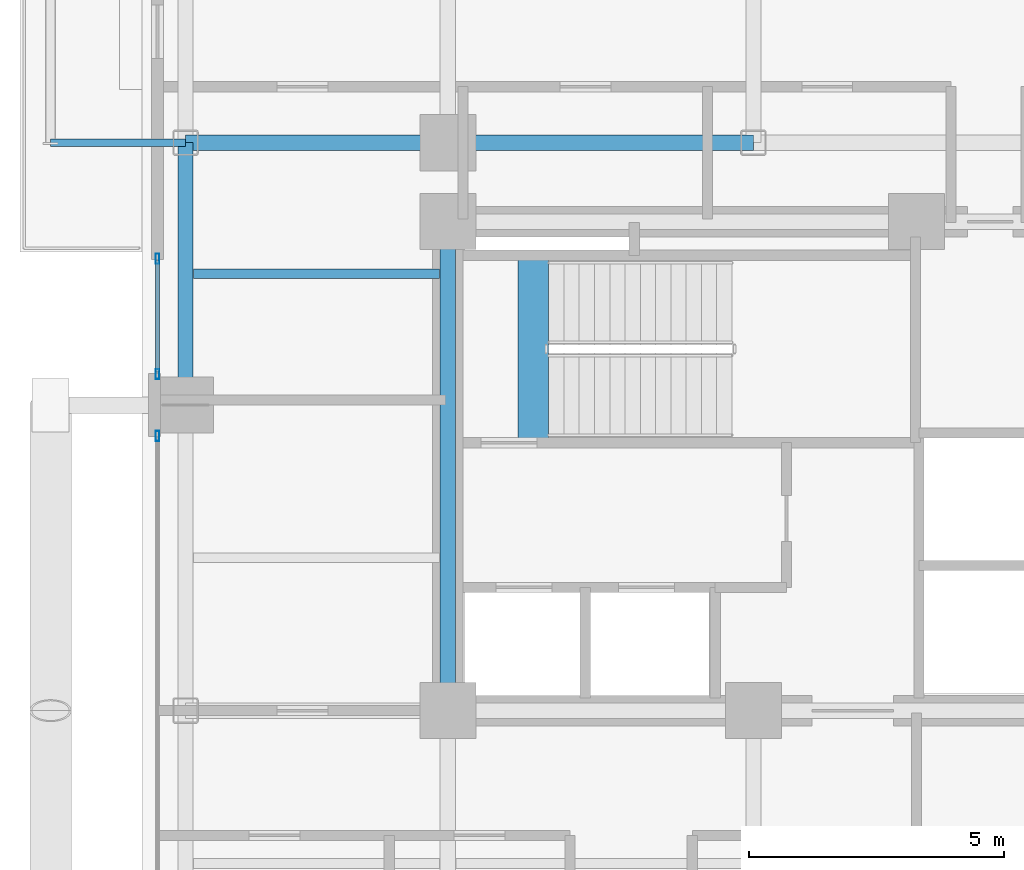
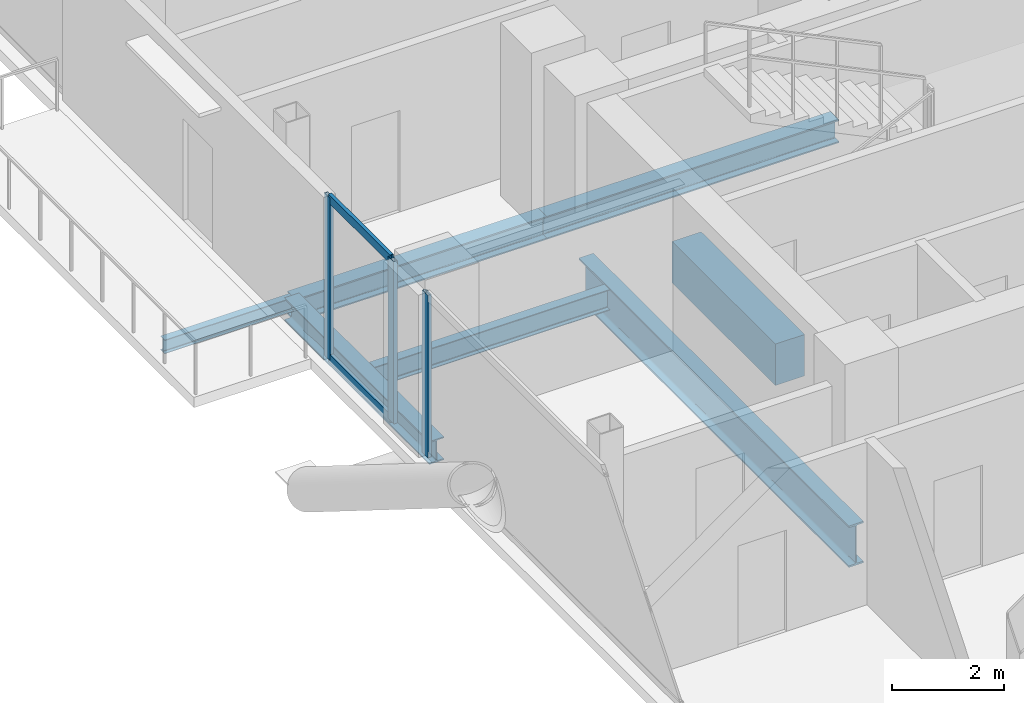
# One storey, part 7 of 28: 7 beams, 5 members, 2 elements without a shape of their own.
"""IFC4 building model written with IfcOpenShell, lengths in metres."""

from ifc_helpers import new_model, si_unit, direction, frame, origin, origin_2d, place, context, subcontext, project, spatial, rectangle, hollow_rectangle, i_section, extrude, material, layer, layer_set, material_profile, profile_set, type_object, element, aggregate, save


model = new_model("IFC4")

# Units and contexts
model_context = context("Model", 3, precision=1e-05, world=origin(), true_north=direction((0.0, 1.0)))
body_context = subcontext(model_context, "Body", "Model", "MODEL_VIEW")
ifc_project = project(units=[si_unit("LENGTHUNIT", "METRE"), si_unit("AREAUNIT", "SQUARE_METRE"), si_unit("VOLUMEUNIT", "CUBIC_METRE"), si_unit("PLANEANGLEUNIT", "RADIAN"), si_unit("MASSUNIT", "GRAM", prefix="KILO"), si_unit("THERMODYNAMICTEMPERATUREUNIT", "KELVIN"), si_unit("POWERUNIT", "WATT")], contexts=[model_context])

# Site, building, storey
site_placement = place(None, origin())
site = spatial("IfcSite", under=ifc_project, at=site_placement, CompositionType="ELEMENT")
building_placement = place(site_placement, origin())
building = spatial("IfcBuilding", under=site, at=building_placement, Name="Svarakhadi Broadcast Tower", CompositionType="ELEMENT")
storey_placement = place(building_placement, frame((0.0, 0.0, 123.14990234375)))
storey = spatial("IfcBuildingStorey", under=building, at=storey_placement, Name="L29", CompositionType="ELEMENT", Elevation=123.14990234375)

# Beam
ifc_material_1 = material(Name="Steel S355J2 (IS 2062 E350C)", Category="steel")
ifc_material_profile_1 = material_profile(ifc_material_1, i_section(OverallWidth=0.18994140625, OverallDepth=0.449951171875, WebThickness=0.009521484375, FlangeThickness=0.0146484375, FilletRadius=0.02099609375, at=origin_2d()), Name="NPB 450x190x78")
ifc_profile_set_1 = profile_set([ifc_material_profile_1], Name="Steel S355J2 (IS 2062 E350C)")
beam_type_1 = type_object("IfcBeamType", Name="Beam_NPB450", PredefinedType="BEAM", material=ifc_profile_set_1)
beam_1_placement = place(storey_placement, frame((1.010009765625, 26.574951171875, -0.449951171875), z_axis=(1.0, 0.0, 0.0), x_axis=(0.0, 1.0, 0.0)))
element("IfcBeam", 1, at=beam_1_placement, inside=storey, type_object=beam_type_1, Name="L29 Secondary Composite Beam SB004", PredefinedType="BEAM", context=body_context, shape_type="SweptSolid", body=[
    extrude(i_section(OverallWidth=0.18994140625, OverallDepth=0.449951171875, WebThickness=0.009521484375, FlangeThickness=0.0146484375, FilletRadius=0.02099609375, at=origin_2d()), origin(), (0.0, 0.0, 1.0), 4.830078125),
])

# Curtain wall, member
ifc_material_2 = material(Name="Anodised Bronze Aluminium AA 6063-T6", Category="aluminium")
ifc_layer = layer(ifc_material_2, 0.199951171875)
ifc_layer_set = layer_set([ifc_layer], Name="Anodised Bronze Aluminium AA 6063-T6")
curtain_wall_type = type_object("IfcCurtainWallType", Name="CW_Sys_03", PredefinedType="NOTDEFINED", material=ifc_layer_set)
curtain_wall_1_placement = place(storey_placement, origin())
curtain_wall_1 = element("IfcCurtainWall", 2, at=curtain_wall_1_placement, inside=storey, type_object=curtain_wall_type, Name="L29 West Curtain Wall 02 Bay 2", PredefinedType="NOTDEFINED")
ifc_material_profile_2 = material_profile(ifc_material_2, hollow_rectangle(XDim=0.074951171875, YDim=0.199951171875, WallThickness=0.005615234375, at=origin_2d()), Name="ALU MULLION 200x75x6")
ifc_profile_set_2 = profile_set([ifc_material_profile_2], Name="Anodised Bronze Aluminium AA 6063-T6")
member_type_1 = type_object("IfcMemberType", Name="CW_Sys_03_Mul", PredefinedType="MULLION", material=ifc_profile_set_2)
member_1_placement = place(storey_placement, frame((0.300048828125, 23.392578125, 0.0), z_axis=(0.0, 0.0, 1.0), x_axis=(-1.0, 0.0, 0.0)))
member_1 = element("IfcMember", 3, at=member_1_placement, type_object=member_type_1, Name="CW-03 mullion 2", PredefinedType="MULLION", context=body_context, shape_type="SweptSolid", body=[
    extrude(hollow_rectangle(XDim=0.074951171875, YDim=0.199951171875, WallThickness=0.005615234375, at=origin_2d()), origin(), (0.0, 0.0, 1.0), 3.525146484375),
])
aggregate(curtain_wall_1, [member_1])

# Curtain wall, members
curtain_wall_2_placement = place(storey_placement, origin())
curtain_wall_2 = element("IfcCurtainWall", 4, at=curtain_wall_2_placement, inside=storey, type_object=curtain_wall_type, Name="L29 West Curtain Wall 02 Bay 3", PredefinedType="NOTDEFINED")
member_2_placement = place(storey_placement, frame((0.300048828125, 24.607421875, 0.0), z_axis=(0.0, 0.0, 1.0), x_axis=(-1.0, 0.0, 0.0)))
member_2 = element("IfcMember", 5, at=member_2_placement, type_object=member_type_1, Name="CW-03 mullion 1", PredefinedType="MULLION", context=body_context, shape_type="SweptSolid", body=[
    extrude(hollow_rectangle(XDim=0.074951171875, YDim=0.199951171875, WallThickness=0.005615234375, at=origin_2d()), origin(), (0.0, 0.0, 1.0), 3.525146484375),
])
member_3_placement = place(storey_placement, frame((0.300048828125, 26.87255859375, 0.0), z_axis=(0.0, 0.0, 1.0), x_axis=(-1.0, 0.0, 0.0)))
member_3 = element("IfcMember", 6, at=member_3_placement, type_object=member_type_1, Name="CW-03 mullion 2", PredefinedType="MULLION", context=body_context, shape_type="SweptSolid", body=[
    extrude(hollow_rectangle(XDim=0.074951171875, YDim=0.199951171875, WallThickness=0.005615234375, at=origin_2d()), origin(), (0.0, 0.0, 1.0), 3.525146484375),
])
ifc_material_profile_3 = material_profile(ifc_material_2, hollow_rectangle(XDim=0.070068359375, YDim=0.18505859375, WallThickness=0.0048828125, at=origin_2d()), Name="ALU TRANSOM 185x70x5")
ifc_profile_set_3 = profile_set([ifc_material_profile_3], Name="Anodised Bronze Aluminium AA 6063-T6")
member_type_2 = type_object("IfcMemberType", Name="CW_Sys_03_Trn", PredefinedType="USERDEFINED", material=ifc_profile_set_3)
member_4_placement = place(storey_placement, frame((0.300048828125, 24.64501953125, 0.03515625), z_axis=(0.0, 1.0, 0.0), x_axis=(-1.0, 0.0, 0.0)))
member_4 = element("IfcMember", 7, at=member_4_placement, type_object=member_type_2, Name="CW-03 transom 1.1", ObjectType="TRANSOM", PredefinedType="USERDEFINED", context=body_context, shape_type="SweptSolid", body=[
    extrude(hollow_rectangle(XDim=0.070068359375, YDim=0.18505859375, WallThickness=0.0048828125, at=origin_2d()), origin(), (0.0, 0.0, 1.0), 2.18994140625),
])
member_5_placement = place(storey_placement, frame((0.300048828125, 24.64501953125, 3.489990234375), z_axis=(0.0, 1.0, 0.0), x_axis=(-1.0, 0.0, 0.0)))
member_5 = element("IfcMember", 8, at=member_5_placement, type_object=member_type_2, Name="CW-03 transom 1.2", ObjectType="TRANSOM", PredefinedType="USERDEFINED", context=body_context, shape_type="SweptSolid", body=[
    extrude(hollow_rectangle(XDim=0.070068359375, YDim=0.18505859375, WallThickness=0.0048828125, at=origin_2d()), origin(), (0.0, 0.0, 1.0), 2.18994140625),
])
aggregate(curtain_wall_2, [member_2, member_3, member_4, member_5])

# Beams
ifc_material_3 = material(Name="Concrete C50/60 (IS 456 M60)", Category="concrete")
ifc_material_profile_4 = material_profile(ifc_material_3, rectangle(XDim=0.60009765625, YDim=0.89990234375, at=origin_2d()), Name="RC 600x900")
ifc_profile_set_4 = profile_set([ifc_material_profile_4], Name="Concrete C50/60 (IS 456 M60)")
beam_type_2 = type_object("IfcBeamType", Name="Coupling_RC600", PredefinedType="USERDEFINED", material=ifc_profile_set_4)
beam_2_placement = place(storey_placement, frame((7.679931640625, 23.260009765625, -0.449951171875), z_axis=(0.0, 1.0, 0.0), x_axis=(-1.0, 0.0, 0.0)))
element("IfcBeam", 9, at=beam_2_placement, inside=storey, type_object=beam_type_2, Name="L29 Stair ST-01 Landing Throat Trimmer Beam CB-01", ObjectType="GIRDER", PredefinedType="USERDEFINED", context=body_context, shape_type="SweptSolid", body=[
    extrude(rectangle(XDim=0.60009765625, YDim=0.89990234375, at=origin_2d()), origin(), (0.0, 0.0, 1.0), 3.679931640625),
])
ifc_material_profile_5 = material_profile(ifc_material_1, i_section(OverallWidth=0.300048828125, OverallDepth=0.5, WebThickness=0.014404296875, FlangeThickness=0.028076171875, FilletRadius=0.027099609375, at=origin_2d()), Name="WPB 500x300x187")
ifc_profile_set_5 = profile_set([ifc_material_profile_5], Name="Steel S355J2 (IS 2062 E350C)")
beam_type_3 = type_object("IfcBeamType", Name="Girder_WPB500", PredefinedType="USERDEFINED", material=ifc_profile_set_5)
beam_3_placement = place(storey_placement, frame((0.85009765625, 29.14990234375, -0.474853515625), z_axis=(1.0, 0.0, 0.0), x_axis=(0.0, 1.0, 0.0)))
element("IfcBeam", 10, at=beam_3_placement, inside=storey, type_object=beam_type_3, Name="L29 Primary E-W Girder G032", ObjectType="GIRDER", PredefinedType="USERDEFINED", context=body_context, shape_type="SweptSolid", body=[
    extrude(i_section(OverallWidth=0.300048828125, OverallDepth=0.5, WebThickness=0.014404296875, FlangeThickness=0.028076171875, FilletRadius=0.027099609375, at=origin_2d()), origin(), (0.0, 0.0, 1.0), 5.14990234375),
])
beam_4_placement = place(storey_placement, frame((6.0, 29.14990234375, -0.474853515625), z_axis=(1.0, 0.0, 0.0), x_axis=(0.0, 1.0, 0.0)))
element("IfcBeam", 11, at=beam_4_placement, inside=storey, type_object=beam_type_3, Name="L29 Primary E-W Girder G033", ObjectType="GIRDER", PredefinedType="USERDEFINED", context=body_context, shape_type="SweptSolid", body=[
    extrude(i_section(OverallWidth=0.300048828125, OverallDepth=0.5, WebThickness=0.014404296875, FlangeThickness=0.028076171875, FilletRadius=0.027099609375, at=origin_2d()), origin(), (0.0, 0.0, 1.0), 6.0),
])
beam_5_placement = place(storey_placement, frame((0.85009765625, 24.0, -0.474853515625), z_axis=(0.0, 1.0, 0.0), x_axis=(-1.0, 0.0, 0.0)))
element("IfcBeam", 12, at=beam_5_placement, inside=storey, type_object=beam_type_3, Name="L29 Primary N-S Girder G043", ObjectType="GIRDER", PredefinedType="USERDEFINED", context=body_context, shape_type="SweptSolid", body=[
    extrude(i_section(OverallWidth=0.300048828125, OverallDepth=0.5, WebThickness=0.014404296875, FlangeThickness=0.028076171875, FilletRadius=0.027099609375, at=origin_2d()), origin(), (0.0, 0.0, 1.0), 5.14990234375),
])
ifc_material_4 = material(Name="Steel S460ML (IS 2062 E450BR)", Category="steel")
ifc_material_profile_6 = material_profile(ifc_material_4, i_section(OverallWidth=0.300048828125, OverallDepth=0.89990234375, WebThickness=0.0185546875, FlangeThickness=0.034912109375, FilletRadius=0.030029296875, at=origin_2d()), Name="WPB 900x300x291")
ifc_profile_set_6 = profile_set([ifc_material_profile_6], Name="Steel S460ML (IS 2062 E450BR)")
beam_type_4 = type_object("IfcBeamType", Name="Girder_WPB900", PredefinedType="USERDEFINED", material=ifc_profile_set_6)
beam_6_placement = place(storey_placement, frame((6.0, 18.0, -0.6748046875), z_axis=(0.0, 1.0, 0.0), x_axis=(-1.0, 0.0, 0.0)))
element("IfcBeam", 13, at=beam_6_placement, inside=storey, type_object=beam_type_4, Name="L29 Primary N-S Girder G048", ObjectType="GIRDER", PredefinedType="USERDEFINED", context=body_context, shape_type="SweptSolid", body=[
    extrude(i_section(OverallWidth=0.300048828125, OverallDepth=0.89990234375, WebThickness=0.0185546875, FlangeThickness=0.034912109375, FilletRadius=0.030029296875, at=origin_2d()), origin(), (0.0, 0.0, 1.0), 9.60009765625),
])
ifc_material_profile_7 = material_profile(ifc_material_1, i_section(OverallWidth=0.14990234375, OverallDepth=0.300048828125, WebThickness=0.007080078125, FlangeThickness=0.0107421875, FilletRadius=0.014892578125, at=origin_2d()), Name="NPB 300x150x37")
ifc_profile_set_7 = profile_set([ifc_material_profile_7], Name="Steel S355J2 (IS 2062 E350C)")
beam_type_5 = type_object("IfcBeamType", Name="Spandrel_NPB300", PredefinedType="SPANDREL", material=ifc_profile_set_7)
beam_7_placement = place(storey_placement, frame((0.85009765625, 29.14990234375, -0.375), z_axis=(-1.0, 0.0, 0.0), x_axis=(0.0, -1.0, 0.0)))
element("IfcBeam", 14, at=beam_7_placement, inside=storey, type_object=beam_type_5, Name="L29 Balcony Cantilever Bracket 2A", PredefinedType="SPANDREL", context=body_context, shape_type="SweptSolid", body=[
    extrude(i_section(OverallWidth=0.14990234375, OverallDepth=0.300048828125, WebThickness=0.007080078125, FlangeThickness=0.0107421875, FilletRadius=0.014892578125, at=origin_2d()), origin(), (0.0, 0.0, 1.0), 2.650146484375),
])

save(model, "model.ifc")
